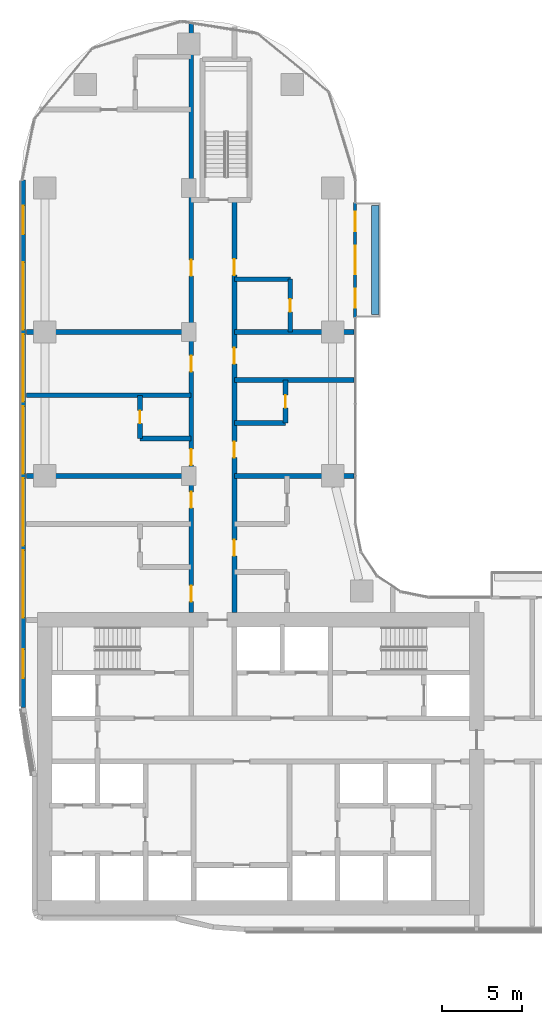
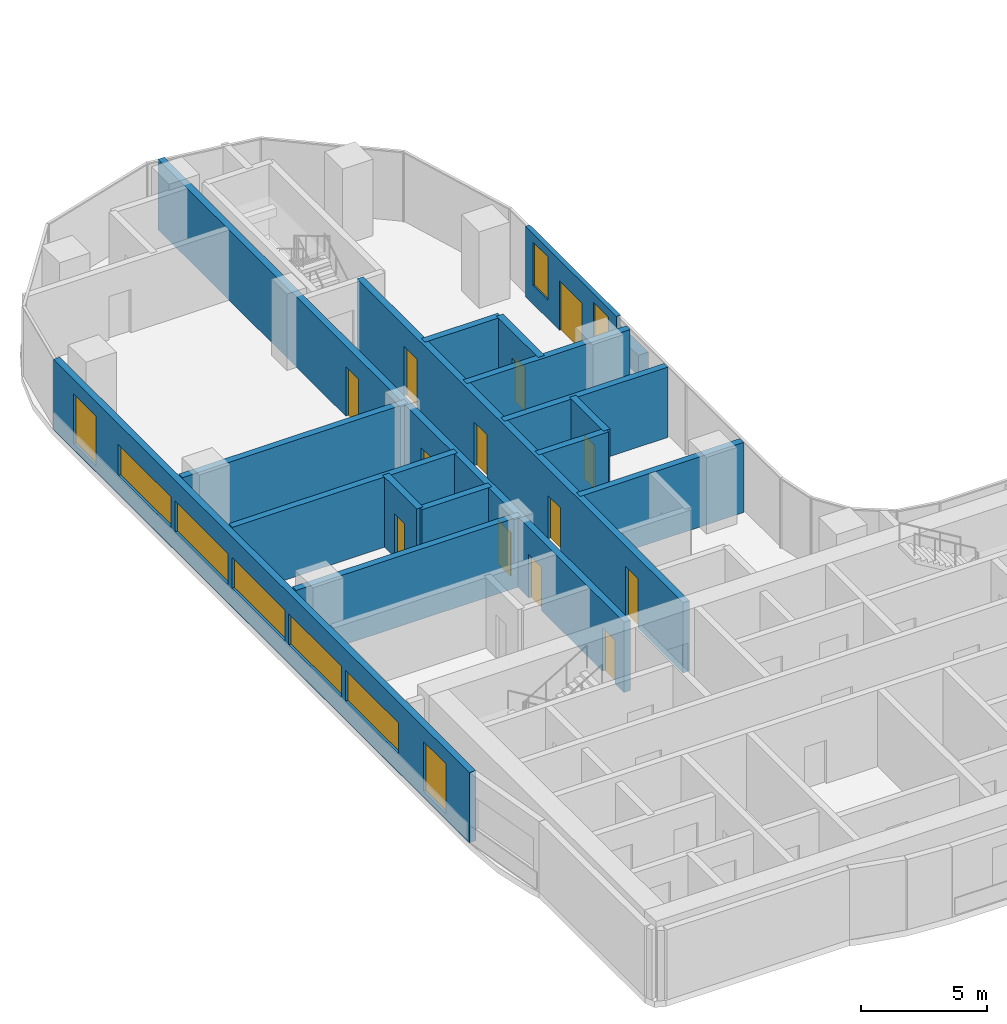
# One storey, part 18 of 31: 17 walls, 13 doors, 9 windows, 22 openings.
"""IFC4 building model written with IfcOpenShell, lengths in metres."""

from ifc_helpers import new_model, si_unit, direction, frame, frame_2d, origin, origin_2d, place, context, subcontext, project, spatial, rectangle, extrude, material, layer, layer_set, type_object, element, fill, save


model = new_model("IFC4")

# Units and contexts
model_context = context("Model", 3, precision=1e-05, world=origin(), true_north=direction((0.0, 1.0)))
body_context = subcontext(model_context, "Body", "Model", "MODEL_VIEW")
ifc_project = project(units=[si_unit("LENGTHUNIT", "METRE"), si_unit("AREAUNIT", "SQUARE_METRE"), si_unit("VOLUMEUNIT", "CUBIC_METRE"), si_unit("PLANEANGLEUNIT", "RADIAN"), si_unit("MASSUNIT", "GRAM", prefix="KILO")], contexts=[model_context])

# Site, building, storey
site_placement = place(None, origin())
site = spatial("IfcSite", under=ifc_project, at=site_placement, CompositionType="ELEMENT")
building_placement = place(site_placement, origin())
building = spatial("IfcBuilding", under=site, at=building_placement, Name="Ogive Portal Towers", CompositionType="ELEMENT")
storey_placement = place(building_placement, frame((0.0, 0.0, 74.199951171875)))
storey = spatial("IfcBuildingStorey", under=building, at=storey_placement, Name="L17", CompositionType="ELEMENT", Elevation=74.199951171875)

# Wall, openings, door, windows
ifc_material_1 = material(Name="Limestone cladding on lightweight block wall", Category="masonry")
ifc_layer_1 = layer(ifc_material_1, 0.199951171875)
ifc_layer_set_1 = layer_set([ifc_layer_1], Name="BALCONY BAY WALL 200")
wall_type_1 = type_object("IfcWallType", Name="BALCONY BAY WALL 200", PredefinedType="SOLIDWALL", material=ifc_layer_set_1)
wall_1_placement = place(storey_placement, frame((50.89990234375, 65.60009765625, 0.0), z_axis=(0.0, 0.0, 1.0), x_axis=(0.0, -1.0, 0.0)))
wall_1 = element("IfcWall", 1, at=wall_1_placement, inside=storey, type_object=wall_type_1, Name="A:L17:f17:bay0", PredefinedType="SOLIDWALL", context=body_context, shape_type="SweptSolid", body=[
    extrude(rectangle(XDim=7.2001953125, YDim=0.199951171875, at=frame_2d((3.60009765625, 0.0))), origin(), (0.0, 0.0, 1.0), 3.400146484375),
])
opening_1_placement = place(wall_1_placement, frame((2.699951171875, 0.0, 0.0)))
opening_1 = element("IfcOpeningElement", 2, at=opening_1_placement, cuts=wall_1, Name="Opening DX029", PredefinedType="OPENING", context=body_context, shape_type="SweptSolid", body=[
    extrude(rectangle(XDim=1.800048828125, YDim=2.39990234375, at=frame_2d((0.89990234375, 1.199951171875))), frame((0.0, 0.10986328125, 0.0), z_axis=(0.0, -1.0, 0.0), x_axis=(1.0, 0.0, 0.0)), (0.0, 0.0, 1.0), 0.219970703125),
])
opening_2_placement = place(wall_1_placement, frame((5.39990234375, 0.0, 0.89990234375)))
opening_2 = element("IfcOpeningElement", 3, at=opening_2_placement, cuts=wall_1, Name="Opening WN2", PredefinedType="OPENING", context=body_context, shape_type="SweptSolid", body=[
    extrude(rectangle(XDim=1.199951171875, YDim=2.10009765625, at=frame_2d((0.60009765625, 1.050048828125))), frame((0.0, 0.10986328125, 0.0), z_axis=(0.0, -1.0, 0.0), x_axis=(1.0, 0.0, 0.0)), (0.0, 0.0, 1.0), 0.219970703125),
])
opening_3_placement = place(wall_1_placement, frame((0.60009765625, 0.0, 0.89990234375)))
opening_3 = element("IfcOpeningElement", 4, at=opening_3_placement, cuts=wall_1, Name="Opening WN2", PredefinedType="OPENING", context=body_context, shape_type="SweptSolid", body=[
    extrude(rectangle(XDim=1.199951171875, YDim=2.10009765625, at=frame_2d((0.60009765625, 1.050048828125))), frame((0.0, 0.10986328125, 0.0), z_axis=(0.0, -1.0, 0.0), x_axis=(1.0, 0.0, 0.0)), (0.0, 0.0, 1.0), 0.219970703125),
])
ifc_material_2 = material(Name="Aluminium 6063 anodised", Category="aluminium")
door_type_1 = type_object("IfcDoorType", Name="BALCONY DOOR 1800x2400", OperationType="DOUBLE_DOOR_SINGLE_SWING", PredefinedType="DOOR", material=ifc_material_2)
door_1_placement = place(opening_1_placement, origin())
door_1 = element("IfcDoor", 5, at=door_1_placement, inside=storey, type_object=door_type_1, Name="A:L17:f17:bay0/o0", OperationType="SINGLE_SWING_LEFT", OverallHeight=2.39990234375, OverallWidth=1.800048828125, PredefinedType="DOOR", context=body_context, shape_type="SweptSolid", body=[
    extrude(rectangle(XDim=1.800048828125, YDim=2.39990234375, at=frame_2d((0.89990234375, 1.199951171875))), frame((0.0, 0.02490234375, 0.0), z_axis=(0.0, -1.0, 0.0), x_axis=(1.0, 0.0, 0.0)), (0.0, 0.0, 1.0), 0.050048828125),
])
fill(opening_1, door_1)
ifc_material_3 = material(Name="Glass, clear low-iron insulated glazing", Category="glass")
window_type_1 = type_object("IfcWindowType", Name="WINDOW BALCONY BAY 1200x2100", PartitioningType="SINGLE_PANEL", PredefinedType="WINDOW", material=ifc_material_3)
window_1_placement = place(opening_2_placement, origin())
window_1 = element("IfcWindow", 6, at=window_1_placement, inside=storey, type_object=window_type_1, Name="A:L17:f17:bay0/o1", OverallHeight=2.10009765625, OverallWidth=1.199951171875, PartitioningType="SINGLE_PANEL", PredefinedType="WINDOW", context=body_context, shape_type="SweptSolid", body=[
    extrude(rectangle(XDim=1.199951171875, YDim=2.10009765625, at=frame_2d((0.60009765625, 1.050048828125))), frame((0.0, 0.030029296875, 0.0), z_axis=(0.0, -1.0, 0.0), x_axis=(1.0, 0.0, 0.0)), (0.0, 0.0, 1.0), 0.06005859375),
])
fill(opening_2, window_1)
window_2_placement = place(opening_3_placement, origin())
window_2 = element("IfcWindow", 7, at=window_2_placement, inside=storey, type_object=window_type_1, Name="A:L17:f17:bay0/o2", OverallHeight=2.10009765625, OverallWidth=1.199951171875, PartitioningType="SINGLE_PANEL", PredefinedType="WINDOW", context=body_context, shape_type="SweptSolid", body=[
    extrude(rectangle(XDim=1.199951171875, YDim=2.10009765625, at=frame_2d((0.60009765625, 1.050048828125))), frame((0.0, 0.030029296875, 0.0), z_axis=(0.0, -1.0, 0.0), x_axis=(1.0, 0.0, 0.0)), (0.0, 0.0, 1.0), 0.06005859375),
])
fill(opening_3, window_2)

# Wall, openings, windows
ifc_layer_2 = layer(ifc_material_1, 0.300048828125)
ifc_layer_set_2 = layer_set([ifc_layer_2], Name="EXTERNAL WALL 300 STONE")
wall_type_2 = type_object("IfcWallType", Name="EXTERNAL WALL 300 STONE", PredefinedType="SOLIDWALL", material=ifc_layer_set_2)
wall_2_placement = place(storey_placement, frame((30.14990234375, 66.9921875, 0.0), z_axis=(0.0, 0.0, 1.0), x_axis=(0.0, -1.0, 0.0)))
wall_2 = element("IfcWall", 8, at=wall_2_placement, inside=storey, type_object=wall_type_2, Name="A:L17:f24:r0:wall", PredefinedType="SOLIDWALL", context=body_context, shape_type="SweptSolid", body=[
    extrude(rectangle(XDim=32.968017578125, YDim=0.300048828125, at=frame_2d((16.48388671875, 0.0))), origin(), (0.0, 0.0, 1.0), 3.400146484375),
])
opening_4_placement = place(wall_2_placement, frame((1.595947265625, 0.0, 0.300048828125)))
opening_4 = element("IfcOpeningElement", 9, at=opening_4_placement, cuts=wall_2, Name="Opening WN10", PredefinedType="OPENING", context=body_context, shape_type="SweptSolid", body=[
    extrude(rectangle(XDim=1.800048828125, YDim=2.39990234375, at=frame_2d((0.89990234375, 1.199951171875))), frame((0.0, 0.16015625, 0.0), z_axis=(0.0, -1.0, 0.0), x_axis=(1.0, 0.0, 0.0)), (0.0, 0.0, 1.0), 0.320068359375),
])
opening_5_placement = place(wall_2_placement, frame((5.14208984375, 0.0, 0.89990234375)))
opening_5 = element("IfcOpeningElement", 10, at=opening_5_placement, cuts=wall_2, Name="Opening WN11", PredefinedType="OPENING", context=body_context, shape_type="SweptSolid", body=[
    extrude(rectangle(XDim=4.199951171875, YDim=1.5, at=frame_2d((2.10009765625, 0.75))), frame((0.0, 0.16015625, 0.0), z_axis=(0.0, -1.0, 0.0), x_axis=(1.0, 0.0, 0.0)), (0.0, 0.0, 1.0), 0.320068359375),
])
opening_6_placement = place(wall_2_placement, frame((9.64208984375, 0.0, 0.89990234375)))
opening_6 = element("IfcOpeningElement", 11, at=opening_6_placement, cuts=wall_2, Name="Opening WN11", PredefinedType="OPENING", context=body_context, shape_type="SweptSolid", body=[
    extrude(rectangle(XDim=4.199951171875, YDim=1.5, at=frame_2d((2.10009765625, 0.75))), frame((0.0, 0.16015625, 0.0), z_axis=(0.0, -1.0, 0.0), x_axis=(1.0, 0.0, 0.0)), (0.0, 0.0, 1.0), 0.320068359375),
])
opening_7_placement = place(wall_2_placement, frame((14.14208984375, 0.0, 0.89990234375)))
opening_7 = element("IfcOpeningElement", 12, at=opening_7_placement, cuts=wall_2, Name="Opening WN11", PredefinedType="OPENING", context=body_context, shape_type="SweptSolid", body=[
    extrude(rectangle(XDim=4.199951171875, YDim=1.5, at=frame_2d((2.10009765625, 0.75))), frame((0.0, 0.16015625, 0.0), z_axis=(0.0, -1.0, 0.0), x_axis=(1.0, 0.0, 0.0)), (0.0, 0.0, 1.0), 0.320068359375),
])
opening_8_placement = place(wall_2_placement, frame((18.64208984375, 0.0, 0.89990234375)))
opening_8 = element("IfcOpeningElement", 13, at=opening_8_placement, cuts=wall_2, Name="Opening WN11", PredefinedType="OPENING", context=body_context, shape_type="SweptSolid", body=[
    extrude(rectangle(XDim=4.199951171875, YDim=1.5, at=frame_2d((2.10009765625, 0.75))), frame((0.0, 0.16015625, 0.0), z_axis=(0.0, -1.0, 0.0), x_axis=(1.0, 0.0, 0.0)), (0.0, 0.0, 1.0), 0.320068359375),
])
opening_9_placement = place(wall_2_placement, frame((23.14208984375, 0.0, 0.89990234375)))
opening_9 = element("IfcOpeningElement", 14, at=opening_9_placement, cuts=wall_2, Name="Opening WN11", PredefinedType="OPENING", context=body_context, shape_type="SweptSolid", body=[
    extrude(rectangle(XDim=4.199951171875, YDim=1.5, at=frame_2d((2.10009765625, 0.75))), frame((0.0, 0.16015625, 0.0), z_axis=(0.0, -1.0, 0.0), x_axis=(1.0, 0.0, 0.0)), (0.0, 0.0, 1.0), 0.320068359375),
])
opening_10_placement = place(wall_2_placement, frame((29.330078125, 0.0, 0.300048828125)))
opening_10 = element("IfcOpeningElement", 15, at=opening_10_placement, cuts=wall_2, Name="Opening WN10", PredefinedType="OPENING", context=body_context, shape_type="SweptSolid", body=[
    extrude(rectangle(XDim=1.800048828125, YDim=2.39990234375, at=frame_2d((0.89990234375, 1.199951171875))), frame((0.0, 0.16015625, 0.0), z_axis=(0.0, -1.0, 0.0), x_axis=(1.0, 0.0, 0.0)), (0.0, 0.0, 1.0), 0.320068359375),
])
window_type_2 = type_object("IfcWindowType", Name="WINDOW RIBBON 4200x1500", PartitioningType="TRIPLE_PANEL_VERTICAL", PredefinedType="WINDOW", material=ifc_material_3)
window_3_placement = place(opening_5_placement, origin())
window_3 = element("IfcWindow", 16, at=window_3_placement, inside=storey, type_object=window_type_2, Name="A:L17:f24:r0:w1", OverallHeight=1.5, OverallWidth=4.199951171875, PartitioningType="SINGLE_PANEL", PredefinedType="WINDOW", context=body_context, shape_type="SweptSolid", body=[
    extrude(rectangle(XDim=4.199951171875, YDim=1.5, at=frame_2d((2.10009765625, 0.75))), frame((0.0, 0.030029296875, 0.0), z_axis=(0.0, -1.0, 0.0), x_axis=(1.0, 0.0, 0.0)), (0.0, 0.0, 1.0), 0.06005859375),
])
fill(opening_5, window_3)
window_4_placement = place(opening_6_placement, origin())
window_4 = element("IfcWindow", 17, at=window_4_placement, inside=storey, type_object=window_type_2, Name="A:L17:f24:r0:w2", OverallHeight=1.5, OverallWidth=4.199951171875, PartitioningType="SINGLE_PANEL", PredefinedType="WINDOW", context=body_context, shape_type="SweptSolid", body=[
    extrude(rectangle(XDim=4.199951171875, YDim=1.5, at=frame_2d((2.10009765625, 0.75))), frame((0.0, 0.030029296875, 0.0), z_axis=(0.0, -1.0, 0.0), x_axis=(1.0, 0.0, 0.0)), (0.0, 0.0, 1.0), 0.06005859375),
])
fill(opening_6, window_4)
window_5_placement = place(opening_7_placement, origin())
window_5 = element("IfcWindow", 18, at=window_5_placement, inside=storey, type_object=window_type_2, Name="A:L17:f24:r0:w3", OverallHeight=1.5, OverallWidth=4.199951171875, PartitioningType="SINGLE_PANEL", PredefinedType="WINDOW", context=body_context, shape_type="SweptSolid", body=[
    extrude(rectangle(XDim=4.199951171875, YDim=1.5, at=frame_2d((2.10009765625, 0.75))), frame((0.0, 0.030029296875, 0.0), z_axis=(0.0, -1.0, 0.0), x_axis=(1.0, 0.0, 0.0)), (0.0, 0.0, 1.0), 0.06005859375),
])
fill(opening_7, window_5)
window_6_placement = place(opening_8_placement, origin())
window_6 = element("IfcWindow", 19, at=window_6_placement, inside=storey, type_object=window_type_2, Name="A:L17:f24:r0:w4", OverallHeight=1.5, OverallWidth=4.199951171875, PartitioningType="SINGLE_PANEL", PredefinedType="WINDOW", context=body_context, shape_type="SweptSolid", body=[
    extrude(rectangle(XDim=4.199951171875, YDim=1.5, at=frame_2d((2.10009765625, 0.75))), frame((0.0, 0.030029296875, 0.0), z_axis=(0.0, -1.0, 0.0), x_axis=(1.0, 0.0, 0.0)), (0.0, 0.0, 1.0), 0.06005859375),
])
fill(opening_8, window_6)
window_7_placement = place(opening_9_placement, origin())
window_7 = element("IfcWindow", 20, at=window_7_placement, inside=storey, type_object=window_type_2, Name="A:L17:f24:r0:w5", OverallHeight=1.5, OverallWidth=4.199951171875, PartitioningType="SINGLE_PANEL", PredefinedType="WINDOW", context=body_context, shape_type="SweptSolid", body=[
    extrude(rectangle(XDim=4.199951171875, YDim=1.5, at=frame_2d((2.10009765625, 0.75))), frame((0.0, 0.030029296875, 0.0), z_axis=(0.0, -1.0, 0.0), x_axis=(1.0, 0.0, 0.0)), (0.0, 0.0, 1.0), 0.06005859375),
])
fill(opening_9, window_7)
window_type_3 = type_object("IfcWindowType", Name="WINDOW SUITE CORNER 1800x2400", PartitioningType="DOUBLE_PANEL_VERTICAL", PredefinedType="WINDOW", material=ifc_material_3)
window_8_placement = place(opening_4_placement, origin())
window_8 = element("IfcWindow", 21, at=window_8_placement, inside=storey, type_object=window_type_3, Name="A:L17:f24:r0:w0", OverallHeight=2.39990234375, OverallWidth=1.800048828125, PartitioningType="SINGLE_PANEL", PredefinedType="WINDOW", context=body_context, shape_type="SweptSolid", body=[
    extrude(rectangle(XDim=1.800048828125, YDim=2.39990234375, at=frame_2d((0.89990234375, 1.199951171875))), frame((0.0, 0.030029296875, 0.0), z_axis=(0.0, -1.0, 0.0), x_axis=(1.0, 0.0, 0.0)), (0.0, 0.0, 1.0), 0.06005859375),
])
fill(opening_4, window_8)
window_9_placement = place(opening_10_placement, origin())
window_9 = element("IfcWindow", 22, at=window_9_placement, inside=storey, type_object=window_type_3, Name="A:L17:f24:r0:w6", OverallHeight=2.39990234375, OverallWidth=1.800048828125, PartitioningType="SINGLE_PANEL", PredefinedType="WINDOW", context=body_context, shape_type="SweptSolid", body=[
    extrude(rectangle(XDim=1.800048828125, YDim=2.39990234375, at=frame_2d((0.89990234375, 1.199951171875))), frame((0.0, 0.030029296875, 0.0), z_axis=(0.0, -1.0, 0.0), x_axis=(1.0, 0.0, 0.0)), (0.0, 0.0, 1.0), 0.06005859375),
])
fill(opening_10, window_9)

# Walls
ifc_material_4 = material(Name="Concrete C40/50", Category="concrete")
ifc_layer_3 = layer(ifc_material_4, 0.449951171875)
ifc_layer_set_3 = layer_set([ifc_layer_3], Name="PLANTER WALL 450")
wall_type_3 = type_object("IfcWallType", Name="PLANTER WALL 450", PredefinedType="SOLIDWALL", material=ifc_layer_set_3)
wall_3_placement = place(storey_placement, frame((52.155029296875, 62.0, 0.0), z_axis=(0.0, 0.0, 1.0), x_axis=(1.0, 0.0, 0.0)))
element("IfcWall", 23, at=wall_3_placement, inside=storey, type_object=wall_type_3, Name="Planter S2", PredefinedType="SOLIDWALL", context=body_context, shape_type="SweptSolid", body=[
    extrude(rectangle(XDim=0.449951171875, YDim=6.800048828125, at=origin_2d()), origin(), (0.0, 0.0, 1.0), 1.0),
])
ifc_material_5 = material(Name="Gypsum board partition on steel studs", Category="steel")
ifc_layer_4 = layer(ifc_material_5, 0.300048828125)
ifc_layer_set_4 = layer_set([ifc_layer_4], Name="WT-PART-300-EI 60")
wall_type_4 = type_object("IfcWallType", Name="WT-PART-300-EI 60", PredefinedType="PARTITIONING", material=ifc_layer_set_4)
wall_4_placement = place(storey_placement, frame((30.35009765625, 48.5, 0.0), z_axis=(0.0, 0.0, 1.0), x_axis=(1.0, 0.0, 0.0)))
element("IfcWall", 24, at=wall_4_placement, inside=storey, type_object=wall_type_4, Name="Wall L17:w017", PredefinedType="PARTITIONING", context=body_context, shape_type="SweptSolid", body=[
    extrude(rectangle(XDim=10.2998046875, YDim=0.300048828125, at=frame_2d((5.14990234375, 0.0))), origin(), (0.0, 0.0, 1.0), 3.400146484375),
])
wall_5_placement = place(storey_placement, frame((43.35009765625, 48.5, 0.0), z_axis=(0.0, 0.0, 1.0), x_axis=(1.0, 0.0, 0.0)))
element("IfcWall", 25, at=wall_5_placement, inside=storey, type_object=wall_type_4, Name="Wall L17:w018", PredefinedType="PARTITIONING", context=body_context, shape_type="SweptSolid", body=[
    extrude(rectangle(XDim=7.47998046875, YDim=0.300048828125, at=frame_2d((3.739990234375, 0.0))), origin(), (0.0, 0.0, 1.0), 3.400146484375),
])
for number, where, z_axis, x_axis, name in (
    (26, (37.449951171875, 50.840087890625, 0.0), (0.0, 0.0, 1.0), (1.0, 0.0, 0.0), "Wall L17:w019"),
    (27, (43.35009765625, 51.800048828125, 0.0), (0.0, 0.0, 1.0), (1.0, 0.0, 0.0), "Wall L17:w020"),
):
    element("IfcWall", number, at=place(storey_placement, frame(where, z_axis=z_axis, x_axis=x_axis)), inside=storey, type_object=wall_type_4, Name=name, PredefinedType="PARTITIONING", context=body_context, shape_type="SweptSolid", body=[
        extrude(rectangle(XDim=3.199951171875, YDim=0.300048828125, at=frame_2d((1.60009765625, 0.0))), origin(), (0.0, 0.0, 1.0), 3.400146484375),
    ])
wall_6_placement = place(storey_placement, frame((30.35009765625, 53.5400390625, 0.0), z_axis=(0.0, 0.0, 1.0), x_axis=(1.0, 0.0, 0.0)))
element("IfcWall", 28, at=wall_6_placement, inside=storey, type_object=wall_type_4, Name="Wall L17:w021", PredefinedType="PARTITIONING", context=body_context, shape_type="SweptSolid", body=[
    extrude(rectangle(XDim=10.2998046875, YDim=0.300048828125, at=frame_2d((5.14990234375, 0.0))), origin(), (0.0, 0.0, 1.0), 3.400146484375),
])
wall_7_placement = place(storey_placement, frame((43.35009765625, 54.5, 0.0), z_axis=(0.0, 0.0, 1.0), x_axis=(1.0, 0.0, 0.0)))
element("IfcWall", 29, at=wall_7_placement, inside=storey, type_object=wall_type_4, Name="Wall L17:w022", PredefinedType="PARTITIONING", context=body_context, shape_type="SweptSolid", body=[
    extrude(rectangle(XDim=7.47998046875, YDim=0.300048828125, at=frame_2d((3.739990234375, 0.0))), origin(), (0.0, 0.0, 1.0), 3.400146484375),
])
wall_8_placement = place(storey_placement, frame((30.35009765625, 57.5, 0.0), z_axis=(0.0, 0.0, 1.0), x_axis=(1.0, 0.0, 0.0)))
element("IfcWall", 30, at=wall_8_placement, inside=storey, type_object=wall_type_4, Name="Wall L17:w023", PredefinedType="PARTITIONING", context=body_context, shape_type="SweptSolid", body=[
    extrude(rectangle(XDim=10.2998046875, YDim=0.300048828125, at=frame_2d((5.14990234375, 0.0))), origin(), (0.0, 0.0, 1.0), 3.400146484375),
])
wall_9_placement = place(storey_placement, frame((43.35009765625, 57.5, 0.0), z_axis=(0.0, 0.0, 1.0), x_axis=(1.0, 0.0, 0.0)))
element("IfcWall", 31, at=wall_9_placement, inside=storey, type_object=wall_type_4, Name="Wall L17:w024", PredefinedType="PARTITIONING", context=body_context, shape_type="SweptSolid", body=[
    extrude(rectangle(XDim=7.47998046875, YDim=0.300048828125, at=frame_2d((3.739990234375, 0.0))), origin(), (0.0, 0.0, 1.0), 3.400146484375),
])
wall_10_placement = place(storey_placement, frame((43.35009765625, 60.800048828125, 0.0), z_axis=(0.0, 0.0, 1.0), x_axis=(1.0, 0.0, 0.0)))
element("IfcWall", 32, at=wall_10_placement, inside=storey, type_object=wall_type_4, Name="Wall L17:w025", PredefinedType="PARTITIONING", context=body_context, shape_type="SweptSolid", body=[
    extrude(rectangle(XDim=3.5, YDim=0.300048828125, at=frame_2d((1.75, 0.0))), origin(), (0.0, 0.0, 1.0), 3.400146484375),
])

# Wall, opening, door
wall_11_placement = place(storey_placement, frame((37.449951171875, 50.840087890625, 0.0), z_axis=(0.0, 0.0, 1.0), x_axis=(0.0, 1.0, 0.0)))
wall_11 = element("IfcWall", 33, at=wall_11_placement, inside=storey, type_object=wall_type_4, Name="Wall L17:w032", PredefinedType="PARTITIONING", context=body_context, shape_type="SweptSolid", body=[
    extrude(rectangle(XDim=2.699951171875, YDim=0.300048828125, at=frame_2d((1.35009765625, 0.0))), origin(), (0.0, 0.0, 1.0), 3.400146484375),
])
opening_11_placement = place(wall_11_placement, frame((0.949951171875, 0.0, 0.0)))
opening_11 = element("IfcOpeningElement", 34, at=opening_11_placement, cuts=wall_11, Name="Opening D05-053", PredefinedType="OPENING", context=body_context, shape_type="SweptSolid", body=[
    extrude(rectangle(XDim=0.800048828125, YDim=2.10009765625, at=frame_2d((0.39990234375, 1.050048828125))), frame((0.0, 0.16015625, 0.0), z_axis=(0.0, -1.0, 0.0), x_axis=(1.0, 0.0, 0.0)), (0.0, 0.0, 1.0), 0.320068359375),
])
ifc_material_6 = material(Name="Steel fire door", Category="steel")
door_type_2 = type_object("IfcDoorType", Name="DT-BATH-800x2100-FD60S", OperationType="SINGLE_SWING_LEFT", PredefinedType="DOOR", material=ifc_material_6)
door_2_placement = place(opening_11_placement, origin())
door_2 = element("IfcDoor", 35, at=door_2_placement, inside=storey, type_object=door_type_2, Name="Door D05-053", OperationType="SINGLE_SWING_LEFT", OverallHeight=2.10009765625, OverallWidth=0.800048828125, PredefinedType="DOOR", context=body_context, shape_type="SweptSolid", body=[
    extrude(rectangle(XDim=0.800048828125, YDim=2.10009765625, at=frame_2d((0.39990234375, 1.050048828125))), frame((0.0, 0.02490234375, 0.0), z_axis=(0.0, -1.0, 0.0), x_axis=(1.0, 0.0, 0.0)), (0.0, 0.0, 1.0), 0.050048828125),
])
fill(opening_11, door_2)

# Wall, openings, doors
wall_12_placement = place(storey_placement, frame((40.64990234375, 39.949951171875, 0.0), z_axis=(0.0, 0.0, 1.0), x_axis=(0.0, 1.0, 0.0)))
wall_12 = element("IfcWall", 36, at=wall_12_placement, inside=storey, type_object=wall_type_4, Name="Wall L17:w033", PredefinedType="PARTITIONING", context=body_context, shape_type="SweptSolid", body=[
    extrude(rectangle(XDim=36.93994140625, YDim=0.300048828125, at=frame_2d((18.469970703125, 0.0))), origin(), (0.0, 0.0, 1.0), 3.400146484375),
])
opening_12_placement = place(wall_12_placement, frame((0.699951171875, 0.0, 0.0)))
opening_12 = element("IfcOpeningElement", 37, at=opening_12_placement, cuts=wall_12, Name="Opening D05-048", PredefinedType="OPENING", context=body_context, shape_type="SweptSolid", body=[
    extrude(rectangle(XDim=1.0, YDim=2.10009765625, at=frame_2d((0.5, 1.050048828125))), frame((0.0, 0.16015625, 0.0), z_axis=(0.0, -1.0, 0.0), x_axis=(1.0, 0.0, 0.0)), (0.0, 0.0, 1.0), 0.320068359375),
])
opening_13_placement = place(wall_12_placement, frame((6.550048828125, 0.0, 0.0)))
opening_13 = element("IfcOpeningElement", 38, at=opening_13_placement, cuts=wall_12, Name="Opening D05-049", PredefinedType="OPENING", context=body_context, shape_type="SweptSolid", body=[
    extrude(rectangle(XDim=1.0, YDim=2.10009765625, at=frame_2d((0.5, 1.050048828125))), frame((0.0, 0.16015625, 0.0), z_axis=(0.0, -1.0, 0.0), x_axis=(1.0, 0.0, 0.0)), (0.0, 0.0, 1.0), 0.320068359375),
])
opening_14_placement = place(wall_12_placement, frame((9.219970703125, 0.0, 0.0)))
opening_14 = element("IfcOpeningElement", 39, at=opening_14_placement, cuts=wall_12, Name="Opening D05-054", PredefinedType="OPENING", context=body_context, shape_type="SweptSolid", body=[
    extrude(rectangle(XDim=1.0, YDim=2.10009765625, at=frame_2d((0.5, 1.050048828125))), frame((0.0, 0.16015625, 0.0), z_axis=(0.0, -1.0, 0.0), x_axis=(1.0, 0.0, 0.0)), (0.0, 0.0, 1.0), 0.320068359375),
])
opening_15_placement = place(wall_12_placement, frame((15.070068359375, 0.0, 0.0)))
opening_15 = element("IfcOpeningElement", 40, at=opening_15_placement, cuts=wall_12, Name="Opening D05-055", PredefinedType="OPENING", context=body_context, shape_type="SweptSolid", body=[
    extrude(rectangle(XDim=1.0, YDim=2.10009765625, at=frame_2d((0.5, 1.050048828125))), frame((0.0, 0.16015625, 0.0), z_axis=(0.0, -1.0, 0.0), x_axis=(1.0, 0.0, 0.0)), (0.0, 0.0, 1.0), 0.320068359375),
])
opening_16_placement = place(wall_12_placement, frame((21.050048828125, 0.0, 0.0)))
opening_16 = element("IfcOpeningElement", 41, at=opening_16_placement, cuts=wall_12, Name="Opening D05-058", PredefinedType="OPENING", context=body_context, shape_type="SweptSolid", body=[
    extrude(rectangle(XDim=1.0, YDim=2.39990234375, at=frame_2d((0.5, 1.199951171875))), frame((0.0, 0.16015625, 0.0), z_axis=(0.0, -1.0, 0.0), x_axis=(1.0, 0.0, 0.0)), (0.0, 0.0, 1.0), 0.320068359375),
])
door_type_3 = type_object("IfcDoorType", Name="DT-ENTRY-1000x2100-FD60S", OperationType="SINGLE_SWING_LEFT", PredefinedType="DOOR", material=ifc_material_6)
door_3_placement = place(opening_12_placement, origin())
door_3 = element("IfcDoor", 42, at=door_3_placement, inside=storey, type_object=door_type_3, Name="Door D05-048", OperationType="SINGLE_SWING_LEFT", OverallHeight=2.10009765625, OverallWidth=1.0, PredefinedType="DOOR", context=body_context, shape_type="SweptSolid", body=[
    extrude(rectangle(XDim=1.0, YDim=2.10009765625, at=frame_2d((0.5, 1.050048828125))), frame((0.0, 0.02490234375, 0.0), z_axis=(0.0, -1.0, 0.0), x_axis=(1.0, 0.0, 0.0)), (0.0, 0.0, 1.0), 0.050048828125),
])
fill(opening_12, door_3)
door_4_placement = place(opening_13_placement, origin())
door_4 = element("IfcDoor", 43, at=door_4_placement, inside=storey, type_object=door_type_3, Name="Door D05-049", OperationType="SINGLE_SWING_RIGHT", OverallHeight=2.10009765625, OverallWidth=1.0, PredefinedType="DOOR", context=body_context, shape_type="SweptSolid", body=[
    extrude(rectangle(XDim=1.0, YDim=2.10009765625, at=frame_2d((0.5, 1.050048828125))), frame((0.0, 0.02490234375, 0.0), z_axis=(0.0, -1.0, 0.0), x_axis=(1.0, 0.0, 0.0)), (0.0, 0.0, 1.0), 0.050048828125),
])
fill(opening_13, door_4)
door_5_placement = place(opening_14_placement, origin())
door_5 = element("IfcDoor", 44, at=door_5_placement, inside=storey, type_object=door_type_3, Name="Door D05-054", OperationType="SINGLE_SWING_LEFT", OverallHeight=2.10009765625, OverallWidth=1.0, PredefinedType="DOOR", context=body_context, shape_type="SweptSolid", body=[
    extrude(rectangle(XDim=1.0, YDim=2.10009765625, at=frame_2d((0.5, 1.050048828125))), frame((0.0, 0.02490234375, 0.0), z_axis=(0.0, -1.0, 0.0), x_axis=(1.0, 0.0, 0.0)), (0.0, 0.0, 1.0), 0.050048828125),
])
fill(opening_14, door_5)
door_6_placement = place(opening_15_placement, origin())
door_6 = element("IfcDoor", 45, at=door_6_placement, inside=storey, type_object=door_type_3, Name="Door D05-055", OperationType="SINGLE_SWING_RIGHT", OverallHeight=2.10009765625, OverallWidth=1.0, PredefinedType="DOOR", context=body_context, shape_type="SweptSolid", body=[
    extrude(rectangle(XDim=1.0, YDim=2.10009765625, at=frame_2d((0.5, 1.050048828125))), frame((0.0, 0.02490234375, 0.0), z_axis=(0.0, -1.0, 0.0), x_axis=(1.0, 0.0, 0.0)), (0.0, 0.0, 1.0), 0.050048828125),
])
fill(opening_15, door_6)
door_type_4 = type_object("IfcDoorType", Name="DT-ENTRY-1000x2400-FD60S", OperationType="SINGLE_SWING_LEFT", PredefinedType="DOOR", material=ifc_material_6)
door_7_placement = place(opening_16_placement, origin())
door_7 = element("IfcDoor", 46, at=door_7_placement, inside=storey, type_object=door_type_4, Name="Door D05-058", OperationType="SINGLE_SWING_RIGHT", OverallHeight=2.39990234375, OverallWidth=1.0, PredefinedType="DOOR", context=body_context, shape_type="SweptSolid", body=[
    extrude(rectangle(XDim=1.0, YDim=2.39990234375, at=frame_2d((0.5, 1.199951171875))), frame((0.0, 0.02490234375, 0.0), z_axis=(0.0, -1.0, 0.0), x_axis=(1.0, 0.0, 0.0)), (0.0, 0.0, 1.0), 0.050048828125),
])
fill(opening_16, door_7)

# Wall, opening, door
wall_13_placement = place(storey_placement, frame((46.550048828125, 51.800048828125, 0.0), z_axis=(0.0, 0.0, 1.0), x_axis=(0.0, 1.0, 0.0)))
wall_13 = element("IfcWall", 47, at=wall_13_placement, inside=storey, type_object=wall_type_4, Name="Wall L17:w038", PredefinedType="PARTITIONING", context=body_context, shape_type="SweptSolid", body=[
    extrude(rectangle(XDim=2.699951171875, YDim=0.300048828125, at=frame_2d((1.35009765625, 0.0))), origin(), (0.0, 0.0, 1.0), 3.400146484375),
])
opening_17_placement = place(wall_13_placement, frame((0.949951171875, 0.0, 0.0)))
opening_17 = element("IfcOpeningElement", 48, at=opening_17_placement, cuts=wall_13, Name="Opening D05-050", PredefinedType="OPENING", context=body_context, shape_type="SweptSolid", body=[
    extrude(rectangle(XDim=0.800048828125, YDim=2.10009765625, at=frame_2d((0.39990234375, 1.050048828125))), frame((0.0, 0.16015625, 0.0), z_axis=(0.0, -1.0, 0.0), x_axis=(1.0, 0.0, 0.0)), (0.0, 0.0, 1.0), 0.320068359375),
])
door_8_placement = place(opening_17_placement, origin())
door_8 = element("IfcDoor", 49, at=door_8_placement, inside=storey, type_object=door_type_2, Name="Door D05-050", OperationType="SINGLE_SWING_LEFT", OverallHeight=2.10009765625, OverallWidth=0.800048828125, PredefinedType="DOOR", context=body_context, shape_type="SweptSolid", body=[
    extrude(rectangle(XDim=0.800048828125, YDim=2.10009765625, at=frame_2d((0.39990234375, 1.050048828125))), frame((0.0, 0.02490234375, 0.0), z_axis=(0.0, -1.0, 0.0), x_axis=(1.0, 0.0, 0.0)), (0.0, 0.0, 1.0), 0.050048828125),
])
fill(opening_17, door_8)

wall_14_placement = place(storey_placement, frame((46.85009765625, 57.5, 0.0), z_axis=(0.0, 0.0, 1.0), x_axis=(0.0, 1.0, 0.0)))
wall_14 = element("IfcWall", 50, at=wall_14_placement, inside=storey, type_object=wall_type_4, Name="Wall L17:w041", PredefinedType="PARTITIONING", context=body_context, shape_type="SweptSolid", body=[
    extrude(rectangle(XDim=3.300048828125, YDim=0.300048828125, at=frame_2d((1.64990234375, 0.0))), origin(), (0.0, 0.0, 1.0), 3.400146484375),
])
opening_18_placement = place(wall_14_placement, frame((1.25, 0.0, 0.0)))
opening_18 = element("IfcOpeningElement", 51, at=opening_18_placement, cuts=wall_14, Name="Opening D05-056", PredefinedType="OPENING", context=body_context, shape_type="SweptSolid", body=[
    extrude(rectangle(XDim=0.800048828125, YDim=2.10009765625, at=frame_2d((0.39990234375, 1.050048828125))), frame((0.0, 0.16015625, 0.0), z_axis=(0.0, -1.0, 0.0), x_axis=(1.0, 0.0, 0.0)), (0.0, 0.0, 1.0), 0.320068359375),
])
door_9_placement = place(opening_18_placement, origin())
door_9 = element("IfcDoor", 52, at=door_9_placement, inside=storey, type_object=door_type_2, Name="Door D05-056", OperationType="SINGLE_SWING_LEFT", OverallHeight=2.10009765625, OverallWidth=0.800048828125, PredefinedType="DOOR", context=body_context, shape_type="SweptSolid", body=[
    extrude(rectangle(XDim=0.800048828125, YDim=2.10009765625, at=frame_2d((0.39990234375, 1.050048828125))), frame((0.0, 0.02490234375, 0.0), z_axis=(0.0, -1.0, 0.0), x_axis=(1.0, 0.0, 0.0)), (0.0, 0.0, 1.0), 0.050048828125),
])
fill(opening_18, door_9)

# Wall, openings, doors
ifc_layer_5 = layer(ifc_material_4, 0.300048828125)
ifc_layer_set_5 = layer_set([ifc_layer_5], Name="WT-SHAFT-300")
wall_type_5 = type_object("IfcWallType", Name="WT-SHAFT-300", PredefinedType="SOLIDWALL", material=ifc_layer_set_5)
wall_15_placement = place(storey_placement, frame((43.35009765625, 39.949951171875, 0.0), z_axis=(0.0, 0.0, 1.0), x_axis=(0.0, 1.0, 0.0)))
wall_15 = element("IfcWall", 53, at=wall_15_placement, inside=storey, type_object=wall_type_5, Name="Wall L17:w035", PredefinedType="SOLIDWALL", context=body_context, shape_type="SweptSolid", body=[
    extrude(rectangle(XDim=25.85009765625, YDim=0.300048828125, at=frame_2d((12.925048828125, 0.0))), origin(), (0.0, 0.0, 1.0), 3.400146484375),
])
opening_19_placement = place(wall_15_placement, frame((3.550048828125, 0.0, 0.0)))
opening_19 = element("IfcOpeningElement", 54, at=opening_19_placement, cuts=wall_15, Name="Opening D05-046", PredefinedType="OPENING", context=body_context, shape_type="SweptSolid", body=[
    extrude(rectangle(XDim=1.0, YDim=2.39990234375, at=frame_2d((0.5, 1.199951171875))), frame((0.0, 0.16015625, 0.0), z_axis=(0.0, -1.0, 0.0), x_axis=(1.0, 0.0, 0.0)), (0.0, 0.0, 1.0), 0.320068359375),
])
opening_20_placement = place(wall_15_placement, frame((9.699951171875, 0.0, 0.0)))
opening_20 = element("IfcOpeningElement", 55, at=opening_20_placement, cuts=wall_15, Name="Opening D05-051", PredefinedType="OPENING", context=body_context, shape_type="SweptSolid", body=[
    extrude(rectangle(XDim=1.0, YDim=2.10009765625, at=frame_2d((0.5, 1.050048828125))), frame((0.0, 0.16015625, 0.0), z_axis=(0.0, -1.0, 0.0), x_axis=(1.0, 0.0, 0.0)), (0.0, 0.0, 1.0), 0.320068359375),
])
opening_21_placement = place(wall_15_placement, frame((15.550048828125, 0.0, 0.0)))
opening_21 = element("IfcOpeningElement", 56, at=opening_21_placement, cuts=wall_15, Name="Opening D05-052", PredefinedType="OPENING", context=body_context, shape_type="SweptSolid", body=[
    extrude(rectangle(XDim=1.0, YDim=2.10009765625, at=frame_2d((0.5, 1.050048828125))), frame((0.0, 0.16015625, 0.0), z_axis=(0.0, -1.0, 0.0), x_axis=(1.0, 0.0, 0.0)), (0.0, 0.0, 1.0), 0.320068359375),
])
opening_22_placement = place(wall_15_placement, frame((21.10009765625, 0.0, 0.0)))
opening_22 = element("IfcOpeningElement", 57, at=opening_22_placement, cuts=wall_15, Name="Opening D05-057", PredefinedType="OPENING", context=body_context, shape_type="SweptSolid", body=[
    extrude(rectangle(XDim=1.0, YDim=2.39990234375, at=frame_2d((0.5, 1.199951171875))), frame((0.0, 0.16015625, 0.0), z_axis=(0.0, -1.0, 0.0), x_axis=(1.0, 0.0, 0.0)), (0.0, 0.0, 1.0), 0.320068359375),
])
door_type_5 = type_object("IfcDoorType", Name="DT-ENTRY-1000x2100-FD90S", OperationType="SINGLE_SWING_LEFT", PredefinedType="DOOR", material=ifc_material_6)
door_10_placement = place(opening_20_placement, origin())
door_10 = element("IfcDoor", 58, at=door_10_placement, inside=storey, type_object=door_type_5, Name="Door D05-051", OperationType="SINGLE_SWING_LEFT", OverallHeight=2.10009765625, OverallWidth=1.0, PredefinedType="DOOR", context=body_context, shape_type="SweptSolid", body=[
    extrude(rectangle(XDim=1.0, YDim=2.10009765625, at=frame_2d((0.5, 1.050048828125))), frame((0.0, 0.02490234375, 0.0), z_axis=(0.0, -1.0, 0.0), x_axis=(1.0, 0.0, 0.0)), (0.0, 0.0, 1.0), 0.050048828125),
])
fill(opening_20, door_10)
door_11_placement = place(opening_21_placement, origin())
door_11 = element("IfcDoor", 59, at=door_11_placement, inside=storey, type_object=door_type_5, Name="Door D05-052", OperationType="SINGLE_SWING_RIGHT", OverallHeight=2.10009765625, OverallWidth=1.0, PredefinedType="DOOR", context=body_context, shape_type="SweptSolid", body=[
    extrude(rectangle(XDim=1.0, YDim=2.10009765625, at=frame_2d((0.5, 1.050048828125))), frame((0.0, 0.02490234375, 0.0), z_axis=(0.0, -1.0, 0.0), x_axis=(1.0, 0.0, 0.0)), (0.0, 0.0, 1.0), 0.050048828125),
])
fill(opening_21, door_11)
door_type_6 = type_object("IfcDoorType", Name="DT-ENTRY-1000x2400-FD90S", OperationType="SINGLE_SWING_LEFT", PredefinedType="DOOR", material=ifc_material_6)
door_12_placement = place(opening_19_placement, origin())
door_12 = element("IfcDoor", 60, at=door_12_placement, inside=storey, type_object=door_type_6, Name="Door D05-046", OperationType="SINGLE_SWING_LEFT", OverallHeight=2.39990234375, OverallWidth=1.0, PredefinedType="DOOR", context=body_context, shape_type="SweptSolid", body=[
    extrude(rectangle(XDim=1.0, YDim=2.39990234375, at=frame_2d((0.5, 1.199951171875))), frame((0.0, 0.02490234375, 0.0), z_axis=(0.0, -1.0, 0.0), x_axis=(1.0, 0.0, 0.0)), (0.0, 0.0, 1.0), 0.050048828125),
])
fill(opening_19, door_12)
door_13_placement = place(opening_22_placement, origin())
door_13 = element("IfcDoor", 61, at=door_13_placement, inside=storey, type_object=door_type_6, Name="Door D05-057", OperationType="SINGLE_SWING_LEFT", OverallHeight=2.39990234375, OverallWidth=1.0, PredefinedType="DOOR", context=body_context, shape_type="SweptSolid", body=[
    extrude(rectangle(XDim=1.0, YDim=2.39990234375, at=frame_2d((0.5, 1.199951171875))), frame((0.0, 0.02490234375, 0.0), z_axis=(0.0, -1.0, 0.0), x_axis=(1.0, 0.0, 0.0)), (0.0, 0.0, 1.0), 0.050048828125),
])
fill(opening_22, door_13)

save(model, "model.ifc")
